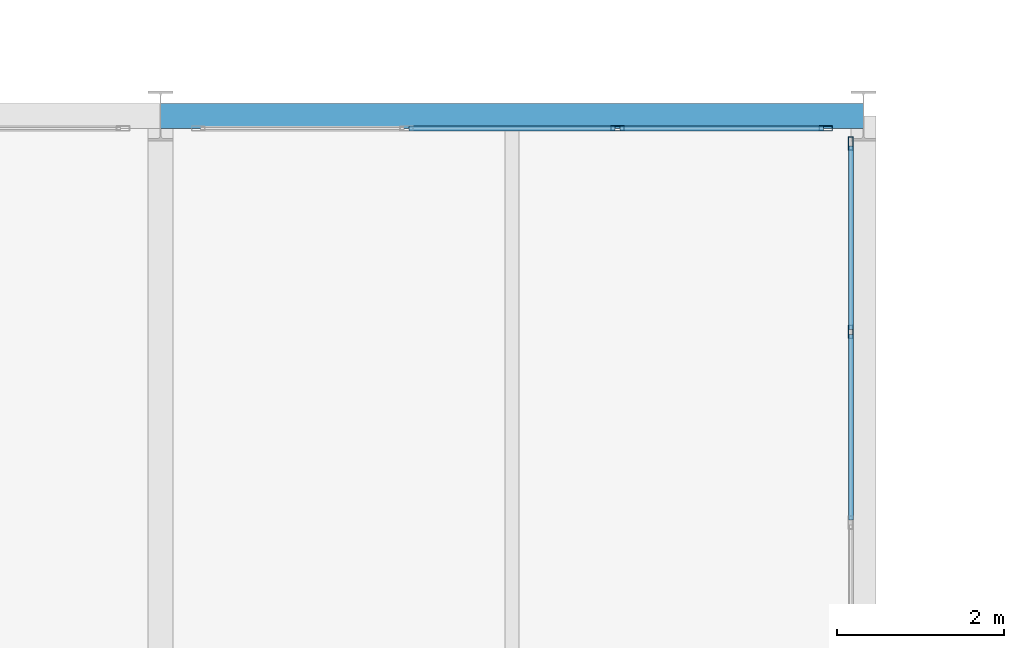
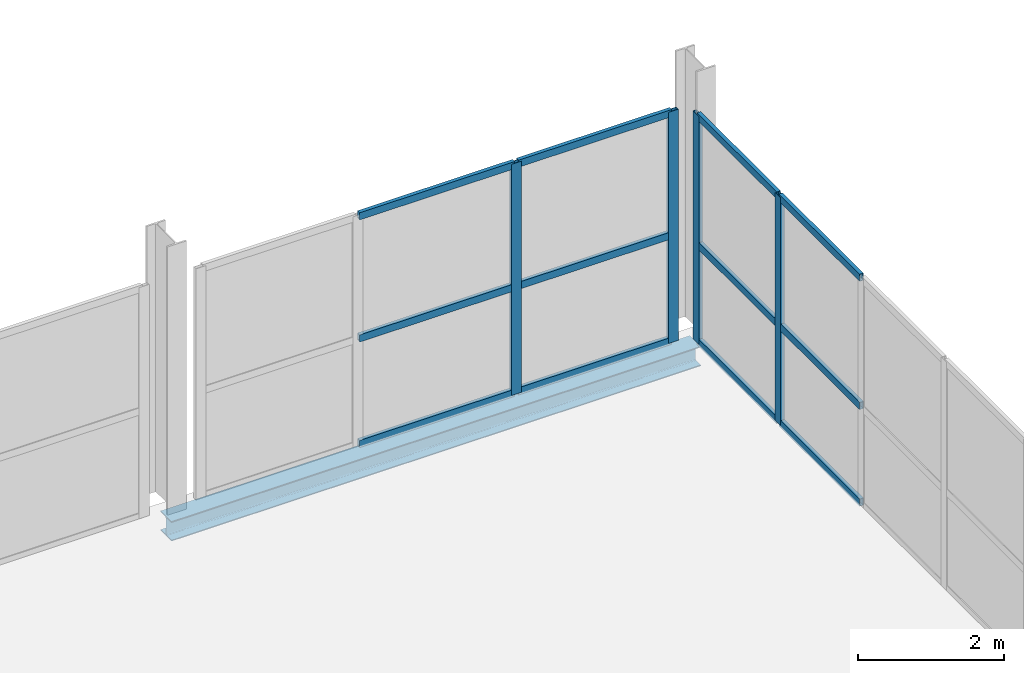
# One storey, part 79 of 130: 16 members, 1 beam, 2 elements without a shape of their own.
"""IFC4 building model written with IfcOpenShell, lengths in metres."""

import ifcopenshell
import ifcopenshell.guid

model = None  # the IFC model being written
_history = None  # IfcOwnerHistory: only IFC2X3 demands one
_inside = {}  # id of a spatial element -> (the spatial element, [elements in it])
_under = {}  # id of a project, library or spatial element -> (it, [spatial elements below it])
_declared = {}  # id of a project -> (the project, [libraries it declares])
_typed = {}  # id of a type object -> (the type object, [elements of that type])
_made_of = {}  # id of a material, layer set ... -> (it, [elements and type objects made of it])


def new_model(schema):
    """Start an empty IFC model of exactly this schema.

    Asked for "IFC4X3", IfcOpenShell would pick the latest addendum, in which some entities
    have other attributes; the version numbers below select the first issue.
    IFC2X3 requires an IfcOwnerHistory on every rooted entity: one is made here for all.
    """
    global model, _history
    if schema == "IFC4X3":
        model = ifcopenshell.file(schema_version=(4, 3, 0, 0))
    else:
        model = ifcopenshell.file(schema=schema)
    _inside.clear()
    _under.clear()
    _declared.clear()
    _typed.clear()
    _made_of.clear()
    _history = None
    if model.schema == "IFC2X3":
        org = make("IfcOrganization", Name="unknown")
        user = make(
            "IfcPersonAndOrganization",
            ThePerson=make("IfcPerson", FamilyName="unknown"),
            TheOrganization=org,
        )
        app = make(
            "IfcApplication",
            ApplicationDeveloper=org,
            Version="unknown",
            ApplicationFullName="unknown",
            ApplicationIdentifier="unknown",
        )
        _history = make(
            "IfcOwnerHistory",
            OwningUser=user,
            OwningApplication=app,
            ChangeAction="ADDED",
            CreationDate=0,
        )
    return model


def make(cls, **values):
    """One entity of the class cls with the attributes given. An attribute that is None is left unset."""
    return model.create_entity(
        cls, **{name: value for name, value in values.items() if value is not None}
    )


def rooted(cls, **values):
    """An entity with a GlobalId (a new one), such as an element, a storey or a relation."""
    return make(cls, GlobalId=ifcopenshell.guid.new(), OwnerHistory=_history, **values)


def si_unit(unit_type, name, prefix=None):
    """IfcSIUnit, for example si_unit("LENGTHUNIT", "METRE", prefix="MILLI")."""
    return make("IfcSIUnit", UnitType=unit_type, Prefix=prefix, Name=name)


def assignment(units):
    """IfcUnitAssignment: the units of a project."""
    return None if units is None else make("IfcUnitAssignment", Units=units)


def point(xyz):
    """IfcCartesianPoint."""
    return None if xyz is None else make("IfcCartesianPoint", Coordinates=xyz)


def direction(xyz):
    """IfcDirection."""
    return None if xyz is None else make("IfcDirection", DirectionRatios=xyz)


def frame(location, z_axis=None, x_axis=None):
    """IfcAxis2Placement3D, a coordinate frame: its origin and axes. An axis left out is left unset."""
    return make(
        "IfcAxis2Placement3D",
        Location=point(location),
        Axis=direction(z_axis),
        RefDirection=direction(x_axis),
    )


def frame_2d(location, x_axis=None):
    """IfcAxis2Placement2D, a coordinate frame in the plane: its origin and x axis."""
    return make(
        "IfcAxis2Placement2D", Location=point(location), RefDirection=direction(x_axis)
    )


def origin():
    """The frame at (0, 0, 0) with its axes left unset."""
    return frame((0.0, 0.0, 0.0))


def origin_2d():
    """The frame at (0, 0) in the plane with its x axis left unset."""
    return frame_2d((0.0, 0.0))


def place(relative_to, where):
    """IfcLocalPlacement: puts the frame where relative to a parent placement (None: the world)."""
    return make(
        "IfcLocalPlacement", PlacementRelTo=relative_to, RelativePlacement=where
    )


def context(
    kind, dimensions, precision=None, world=None, true_north=None, identifier=None
):
    """IfcGeometricRepresentationContext, for example the 3D "Model" context."""
    return make(
        "IfcGeometricRepresentationContext",
        ContextIdentifier=identifier,
        ContextType=kind,
        CoordinateSpaceDimension=dimensions,
        Precision=precision,
        WorldCoordinateSystem=world,
        TrueNorth=true_north,
    )


def subcontext(parent, identifier, kind, view, scale=None):
    """IfcGeometricRepresentationSubContext, for example "Body" below "Model"."""
    return make(
        "IfcGeometricRepresentationSubContext",
        ContextIdentifier=identifier,
        ContextType=kind,
        ParentContext=parent,
        TargetScale=scale,
        TargetView=view,
    )


def project(units=None, contexts=None):
    """IfcProject with its units and contexts."""
    return rooted(
        "IfcProject",
        Name="project",
        RepresentationContexts=contexts,
        UnitsInContext=assignment(units),
    )


def spatial(cls, under=None, at=None, **own):
    """A site, building, storey or space (cls), placed at a placement, below another one or the project."""
    s = rooted(cls, ObjectPlacement=at, **own)
    if under is not None:
        _under.setdefault(under.id(), (under, []))[1].append(s)
    return s


def profile(cls, at=None, kind="AREA", **sizes):
    """A parametric profile (cls). Its sizes go by their IFC names, for example OverallWidth=200.0."""
    return make(cls, ProfileType=kind, Position=at, **sizes)


def hollow_rectangle(**sizes):
    """IfcRectangleHollowProfileDef."""
    return profile("IfcRectangleHollowProfileDef", **sizes)


def i_section(**sizes):
    """IfcIShapeProfileDef."""
    return profile("IfcIShapeProfileDef", **sizes)


def extrude(swept, where, along, depth):
    """IfcExtrudedAreaSolid: the profile swept, set in the frame where, extruded along a direction by depth."""
    return make(
        "IfcExtrudedAreaSolid",
        SweptArea=swept,
        Position=where,
        ExtrudedDirection=direction(along),
        Depth=depth,
    )


def shape(context_of_items, identifier, shape_type, items):
    """IfcShapeRepresentation: the items that make up one representation, for example the "Body"."""
    return make(
        "IfcShapeRepresentation",
        ContextOfItems=context_of_items,
        RepresentationIdentifier=identifier,
        RepresentationType=shape_type,
        Items=items,
    )


def material(Name=None, Category=None):
    """IfcMaterial."""
    return make("IfcMaterial", Name=Name, Category=Category)


def material_profile(
    of_material, cross_section, Name=None, Category=None, Priority=None
):
    """IfcMaterialProfile: a cross section and its material."""
    return make(
        "IfcMaterialProfile",
        Name=Name,
        Material=of_material,
        Profile=cross_section,
        Priority=Priority,
        Category=Category,
    )


def profile_set(profiles, Name=None, composite=None):
    """IfcMaterialProfileSet."""
    return make(
        "IfcMaterialProfileSet",
        Name=Name,
        MaterialProfiles=profiles,
        CompositeProfile=composite,
    )


def made_of(thing, what):
    """Note that an element or type object is made of a material, layer set ...; save() writes the relation."""
    if what is not None:
        _made_of.setdefault(what.id(), (what, []))[1].append(thing)
    return thing


def type_object(cls, material=None, **own):
    """A type object (cls), such as IfcWallType, which elements share."""
    return made_of(rooted(cls, **own), material)


def element(
    cls,
    number,
    at=None,
    inside=None,
    cuts=None,
    type_object=None,
    material=None,
    context=None,
    identifier="Body",
    shape_type=None,
    held_by="IfcProductDefinitionShape",
    body=None,
    shapes=None,
    **own,
):
    """One element of the class cls, such as IfcWall. Its Tag is "e" and its number.

    at: its placement. inside: the storey or other place that contains it. cuts: it is an
    opening in that element (IfcRelVoidsElement). A single representation is given by context,
    identifier, shape_type and body (its items); several are given by shapes. held_by: the class
    of the entity that holds the representations. save() writes the other relations.
    """
    e = rooted(cls, Tag="e%d" % number, ObjectPlacement=at, **own)
    if body is not None:
        shapes = [shape(context, identifier, shape_type, body)]
    if shapes is not None:
        e.Representation = make(held_by, Representations=shapes)
    if inside is not None:
        _inside.setdefault(inside.id(), (inside, []))[1].append(e)
    if cuts is not None:
        rooted(
            "IfcRelVoidsElement", RelatingBuildingElement=cuts, RelatedOpeningElement=e
        )
    if type_object is not None:
        _typed.setdefault(type_object.id(), (type_object, []))[1].append(e)
    return made_of(e, material)


def aggregate(whole, parts):
    """IfcRelAggregates: a whole, such as a stair, and the parts it consists of."""
    return rooted("IfcRelAggregates", RelatingObject=whole, RelatedObjects=parts)


def save(model, path):
    """Write the relations noted so far, then the file.

    IfcRelAggregates (storeys below a building ...), IfcRelContainedInSpatialStructure (elements
    in a storey), IfcRelDefinesByType, IfcRelAssociatesMaterial and IfcRelDeclares: one each for
    every whole, place, type object, material and project.
    """
    for whole, parts in _under.values():
        aggregate(whole, parts)
    for where, things in _inside.values():
        rooted(
            "IfcRelContainedInSpatialStructure",
            RelatedElements=things,
            RelatingStructure=where,
        )
    for kind, things in _typed.values():
        rooted("IfcRelDefinesByType", RelatedObjects=things, RelatingType=kind)
    for what, things in _made_of.values():
        rooted("IfcRelAssociatesMaterial", RelatedObjects=things, RelatingMaterial=what)
    for by, libraries in _declared.values():
        rooted("IfcRelDeclares", RelatingContext=by, RelatedDefinitions=libraries)
    model.write(path)


model = new_model("IFC4")

# Units and contexts
model_context = context("Model", 3, precision=1e-05, world=origin(), true_north=direction((0.0, 1.0)))
body_context = subcontext(model_context, "Body", "Model", "MODEL_VIEW")
ifc_project = project(units=[si_unit("LENGTHUNIT", "METRE"), si_unit("AREAUNIT", "SQUARE_METRE"), si_unit("VOLUMEUNIT", "CUBIC_METRE"), si_unit("PLANEANGLEUNIT", "RADIAN"), si_unit("MASSUNIT", "GRAM", prefix="KILO")], contexts=[model_context])

# Site, building, storey
site_placement = place(None, origin())
site = spatial("IfcSite", under=ifc_project, at=site_placement, CompositionType="ELEMENT")
building_placement = place(site_placement, origin())
building = spatial("IfcBuilding", under=site, at=building_placement, Name="Veltarok Museum of Natural Sciences", CompositionType="ELEMENT")
storey_placement = place(building_placement, frame((0.0, 0.0, 12.89990234375)))
storey = spatial("IfcBuildingStorey", under=building, at=storey_placement, Name="L02", CompositionType="ELEMENT", Elevation=12.89990234375)

# Curtain wall, members
ifc_material_1 = material(Name="Low-iron triple insulated glass", Category="glass")
curtain_wall_type_1 = type_object("IfcCurtainWallType", Name="Curtain Wall System CW-V2N-L02-11-756x388 (V2 North Hall L02 11-12 756x388cm)", PredefinedType="NOTDEFINED", material=ifc_material_1)
curtain_wall_1_placement = place(storey_placement, origin())
curtain_wall_1 = element("IfcCurtainWall", 1, at=curtain_wall_1_placement, inside=storey, type_object=curtain_wall_type_1, Name="Curtain Wall CW-V2N-L02-11-756x388 CW-0054", PredefinedType="NOTDEFINED")
ifc_material_2 = material(Name="Thermally broken anodised aluminium", Category="aluminium")
ifc_material_profile_1 = material_profile(ifc_material_2, hollow_rectangle(XDim=0.06005859375, YDim=0.1201171875, WallThickness=0.0048828125, at=origin_2d()), Name="CW TRANSOM 60x120x5")
ifc_profile_set_1 = profile_set([ifc_material_profile_1], Name="Thermally broken anodised aluminium")
member_type_1 = type_object("IfcMemberType", Name="Curtain Wall Horizontal Transom 60x120x5", PredefinedType="USERDEFINED", material=ifc_profile_set_1)
member_1_placement = place(storey_placement, frame((98.320068359375, 71.85009765625, 0.030029296875), z_axis=(-1.0, 0.0, 0.0), x_axis=(0.0, -1.0, 0.0)))
member_1 = element("IfcMember", 2, at=member_1_placement, type_object=member_type_1, Name="CW-V2N-L02-11-756x388 transom 1.1", ObjectType="TRANSOM", PredefinedType="USERDEFINED", context=body_context, shape_type="SweptSolid", body=[
    extrude(hollow_rectangle(XDim=0.06005859375, YDim=0.1201171875, WallThickness=0.0048828125, at=origin_2d()), origin(), (0.0, 0.0, 1.0), 2.43017578125),
])
member_2_placement = place(storey_placement, frame((98.320068359375, 71.85009765625, 1.800048828125), z_axis=(-1.0, 0.0, 0.0), x_axis=(0.0, -1.0, 0.0)))
member_2 = element("IfcMember", 3, at=member_2_placement, type_object=member_type_1, Name="CW-V2N-L02-11-756x388 transom 1.2", ObjectType="TRANSOM", PredefinedType="USERDEFINED", context=body_context, shape_type="SweptSolid", body=[
    extrude(hollow_rectangle(XDim=0.06005859375, YDim=0.1201171875, WallThickness=0.0048828125, at=origin_2d()), origin(), (0.0, 0.0, 1.0), 2.43017578125),
])
member_3_placement = place(storey_placement, frame((98.320068359375, 71.85009765625, 3.85009765625), z_axis=(-1.0, 0.0, 0.0), x_axis=(0.0, -1.0, 0.0)))
member_3 = element("IfcMember", 4, at=member_3_placement, type_object=member_type_1, Name="CW-V2N-L02-11-756x388 transom 1.3", ObjectType="TRANSOM", PredefinedType="USERDEFINED", context=body_context, shape_type="SweptSolid", body=[
    extrude(hollow_rectangle(XDim=0.06005859375, YDim=0.1201171875, WallThickness=0.0048828125, at=origin_2d()), origin(), (0.0, 0.0, 1.0), 2.43017578125),
])
member_4_placement = place(storey_placement, frame((95.830078125, 71.85009765625, 0.030029296875), z_axis=(-1.0, 0.0, 0.0), x_axis=(0.0, -1.0, 0.0)))
member_4 = element("IfcMember", 5, at=member_4_placement, type_object=member_type_1, Name="CW-V2N-L02-11-756x388 transom 2.1", ObjectType="TRANSOM", PredefinedType="USERDEFINED", context=body_context, shape_type="SweptSolid", body=[
    extrude(hollow_rectangle(XDim=0.06005859375, YDim=0.1201171875, WallThickness=0.0048828125, at=origin_2d()), origin(), (0.0, 0.0, 1.0), 2.4599609375),
])
member_5_placement = place(storey_placement, frame((95.830078125, 71.85009765625, 1.800048828125), z_axis=(-1.0, 0.0, 0.0), x_axis=(0.0, -1.0, 0.0)))
member_5 = element("IfcMember", 6, at=member_5_placement, type_object=member_type_1, Name="CW-V2N-L02-11-756x388 transom 2.2", ObjectType="TRANSOM", PredefinedType="USERDEFINED", context=body_context, shape_type="SweptSolid", body=[
    extrude(hollow_rectangle(XDim=0.06005859375, YDim=0.1201171875, WallThickness=0.0048828125, at=origin_2d()), origin(), (0.0, 0.0, 1.0), 2.4599609375),
])
member_6_placement = place(storey_placement, frame((95.830078125, 71.85009765625, 3.85009765625), z_axis=(-1.0, 0.0, 0.0), x_axis=(0.0, -1.0, 0.0)))
member_6 = element("IfcMember", 7, at=member_6_placement, type_object=member_type_1, Name="CW-V2N-L02-11-756x388 transom 2.3", ObjectType="TRANSOM", PredefinedType="USERDEFINED", context=body_context, shape_type="SweptSolid", body=[
    extrude(hollow_rectangle(XDim=0.06005859375, YDim=0.1201171875, WallThickness=0.0048828125, at=origin_2d()), origin(), (0.0, 0.0, 1.0), 2.4599609375),
])

curtain_wall_type_2 = type_object("IfcCurtainWallType", Name="Curtain Wall System CW-V2E-L02-1-1140x383 (CW-V2E L02 1140x383cm)", PredefinedType="NOTDEFINED", material=ifc_material_1)
curtain_wall_2_placement = place(storey_placement, origin())
curtain_wall_2 = element("IfcCurtainWall", 8, at=curtain_wall_2_placement, inside=storey, type_object=curtain_wall_type_2, Name="Curtain Wall CW-V2E-L02-1-1140x383 CW-0133", PredefinedType="NOTDEFINED")
member_7_placement = place(storey_placement, frame((98.64990234375, 67.169921875, 0.028076171875), z_axis=(0.0, 1.0, 0.0), x_axis=(-1.0, 0.0, 0.0)))
member_7 = element("IfcMember", 9, at=member_7_placement, type_object=member_type_1, Name="CW-V2E-L02-1-1140x383 transom 4.1", ObjectType="TRANSOM", PredefinedType="USERDEFINED", context=body_context, shape_type="SweptSolid", body=[
    extrude(hollow_rectangle(XDim=0.06005859375, YDim=0.1201171875, WallThickness=0.0048828125, at=origin_2d()), origin(), (0.0, 0.0, 1.0), 2.219970703125),
])
member_8_placement = place(storey_placement, frame((98.64990234375, 67.169921875, 1.648193359375), z_axis=(0.0, 1.0, 0.0), x_axis=(-1.0, 0.0, 0.0)))
member_8 = element("IfcMember", 10, at=member_8_placement, type_object=member_type_1, Name="CW-V2E-L02-1-1140x383 transom 4.2", ObjectType="TRANSOM", PredefinedType="USERDEFINED", context=body_context, shape_type="SweptSolid", body=[
    extrude(hollow_rectangle(XDim=0.06005859375, YDim=0.1201171875, WallThickness=0.0048828125, at=origin_2d()), origin(), (0.0, 0.0, 1.0), 2.219970703125),
])
member_9_placement = place(storey_placement, frame((98.64990234375, 67.169921875, 3.800048828125), z_axis=(0.0, 1.0, 0.0), x_axis=(-1.0, 0.0, 0.0)))
member_9 = element("IfcMember", 11, at=member_9_placement, type_object=member_type_1, Name="CW-V2E-L02-1-1140x383 transom 4.3", ObjectType="TRANSOM", PredefinedType="USERDEFINED", context=body_context, shape_type="SweptSolid", body=[
    extrude(hollow_rectangle(XDim=0.06005859375, YDim=0.1201171875, WallThickness=0.0048828125, at=origin_2d()), origin(), (0.0, 0.0, 1.0), 2.219970703125),
])
member_10_placement = place(storey_placement, frame((98.64990234375, 69.449951171875, 0.028076171875), z_axis=(0.0, 1.0, 0.0), x_axis=(-1.0, 0.0, 0.0)))
member_10 = element("IfcMember", 12, at=member_10_placement, type_object=member_type_1, Name="CW-V2E-L02-1-1140x383 transom 5.1", ObjectType="TRANSOM", PredefinedType="USERDEFINED", context=body_context, shape_type="SweptSolid", body=[
    extrude(hollow_rectangle(XDim=0.06005859375, YDim=0.1201171875, WallThickness=0.0048828125, at=origin_2d()), origin(), (0.0, 0.0, 1.0), 2.18994140625),
])
member_11_placement = place(storey_placement, frame((98.64990234375, 69.449951171875, 1.648193359375), z_axis=(0.0, 1.0, 0.0), x_axis=(-1.0, 0.0, 0.0)))
member_11 = element("IfcMember", 13, at=member_11_placement, type_object=member_type_1, Name="CW-V2E-L02-1-1140x383 transom 5.2", ObjectType="TRANSOM", PredefinedType="USERDEFINED", context=body_context, shape_type="SweptSolid", body=[
    extrude(hollow_rectangle(XDim=0.06005859375, YDim=0.1201171875, WallThickness=0.0048828125, at=origin_2d()), origin(), (0.0, 0.0, 1.0), 2.18994140625),
])
member_12_placement = place(storey_placement, frame((98.64990234375, 69.449951171875, 3.800048828125), z_axis=(0.0, 1.0, 0.0), x_axis=(-1.0, 0.0, 0.0)))
member_12 = element("IfcMember", 14, at=member_12_placement, type_object=member_type_1, Name="CW-V2E-L02-1-1140x383 transom 5.3", ObjectType="TRANSOM", PredefinedType="USERDEFINED", context=body_context, shape_type="SweptSolid", body=[
    extrude(hollow_rectangle(XDim=0.06005859375, YDim=0.1201171875, WallThickness=0.0048828125, at=origin_2d()), origin(), (0.0, 0.0, 1.0), 2.18994140625),
])

# Member
ifc_material_profile_2 = material_profile(ifc_material_2, hollow_rectangle(XDim=0.06005859375, YDim=0.159912109375, WallThickness=0.0048828125, at=origin_2d()), Name="CW MULLION 60x160x5")
ifc_profile_set_2 = profile_set([ifc_material_profile_2], Name="Thermally broken anodised aluminium")
member_type_2 = type_object("IfcMemberType", Name="Curtain Wall Vertical Mullion 60x160x5", PredefinedType="MULLION", material=ifc_profile_set_2)
member_13_placement = place(storey_placement, frame((98.35009765625, 71.85009765625, 0.0), z_axis=(0.0, 0.0, 1.0), x_axis=(0.0, -1.0, 0.0)))
member_13 = element("IfcMember", 15, at=member_13_placement, type_object=member_type_2, Name="CW-V2N-L02-11-756x388 mullion 1", PredefinedType="MULLION", context=body_context, shape_type="SweptSolid", body=[
    extrude(hollow_rectangle(XDim=0.06005859375, YDim=0.159912109375, WallThickness=0.0048828125, at=origin_2d()), origin(), (0.0, 0.0, 1.0), 3.880126953125),
])

member_14_placement = place(storey_placement, frame((95.860107421875, 71.85009765625, 0.0), z_axis=(0.0, 0.0, 1.0), x_axis=(0.0, -1.0, 0.0)))
member_14 = element("IfcMember", 16, at=member_14_placement, type_object=member_type_2, Name="CW-V2N-L02-11-756x388 mullion 2", PredefinedType="MULLION", context=body_context, shape_type="SweptSolid", body=[
    extrude(hollow_rectangle(XDim=0.06005859375, YDim=0.159912109375, WallThickness=0.0048828125, at=origin_2d()), origin(), (0.0, 0.0, 1.0), 3.880126953125),
])

aggregate(curtain_wall_1, [member_13, member_14, member_1, member_2, member_3, member_4, member_5, member_6])

member_15_placement = place(storey_placement, frame((98.64990234375, 69.419921875, -0.001953125), z_axis=(0.0, 0.0, 1.0), x_axis=(-1.0, 0.0, 0.0)))
member_15 = element("IfcMember", 17, at=member_15_placement, type_object=member_type_2, Name="CW-V2E-L02-1-1140x383 mullion 5", PredefinedType="MULLION", context=body_context, shape_type="SweptSolid", body=[
    extrude(hollow_rectangle(XDim=0.06005859375, YDim=0.159912109375, WallThickness=0.0048828125, at=origin_2d()), origin(), (0.0, 0.0, 1.0), 3.83203125),
])

member_16_placement = place(storey_placement, frame((98.64990234375, 71.669921875, -0.001953125), z_axis=(0.0, 0.0, 1.0), x_axis=(-1.0, 0.0, 0.0)))
member_16 = element("IfcMember", 18, at=member_16_placement, type_object=member_type_2, Name="CW-V2E-L02-1-1140x383 mullion 6", PredefinedType="MULLION", context=body_context, shape_type="SweptSolid", body=[
    extrude(hollow_rectangle(XDim=0.06005859375, YDim=0.159912109375, WallThickness=0.0048828125, at=origin_2d()), origin(), (0.0, 0.0, 1.0), 3.83203125),
])

aggregate(curtain_wall_2, [member_15, member_16, member_7, member_8, member_9, member_10, member_11, member_12])

# Beam
ifc_material_3 = material(Name="Steel S355J2", Category="steel")
ifc_material_profile_3 = material_profile(ifc_material_3, i_section(OverallWidth=0.300048828125, OverallDepth=0.330078125, WebThickness=0.009521484375, FlangeThickness=0.0166015625, FilletRadius=0.027099609375, at=origin_2d()), Name="HEA 340")
ifc_profile_set_3 = profile_set([ifc_material_profile_3], Name="Steel S355J2")
beam_type = type_object("IfcBeamType", Name="Perimeter Upper Spandrel HEA 340", PredefinedType="SPANDREL", material=ifc_profile_set_3)
beam_placement = place(storey_placement, frame((90.39990234375, 72.0, -0.414794921875), z_axis=(1.0, 0.0, 0.0), x_axis=(0.0, 1.0, 0.0)))
element("IfcBeam", 19, at=beam_placement, inside=storey, type_object=beam_type, Name="Beam BM-SP05 L02 11-12/H", PredefinedType="SPANDREL", context=body_context, shape_type="SweptSolid", body=[
    extrude(i_section(OverallWidth=0.300048828125, OverallDepth=0.330078125, WebThickness=0.009521484375, FlangeThickness=0.0166015625, FilletRadius=0.027099609375, at=origin_2d()), origin(), (0.0, 0.0, 1.0), 8.400146484375),
])

save(model, "model.ifc")
